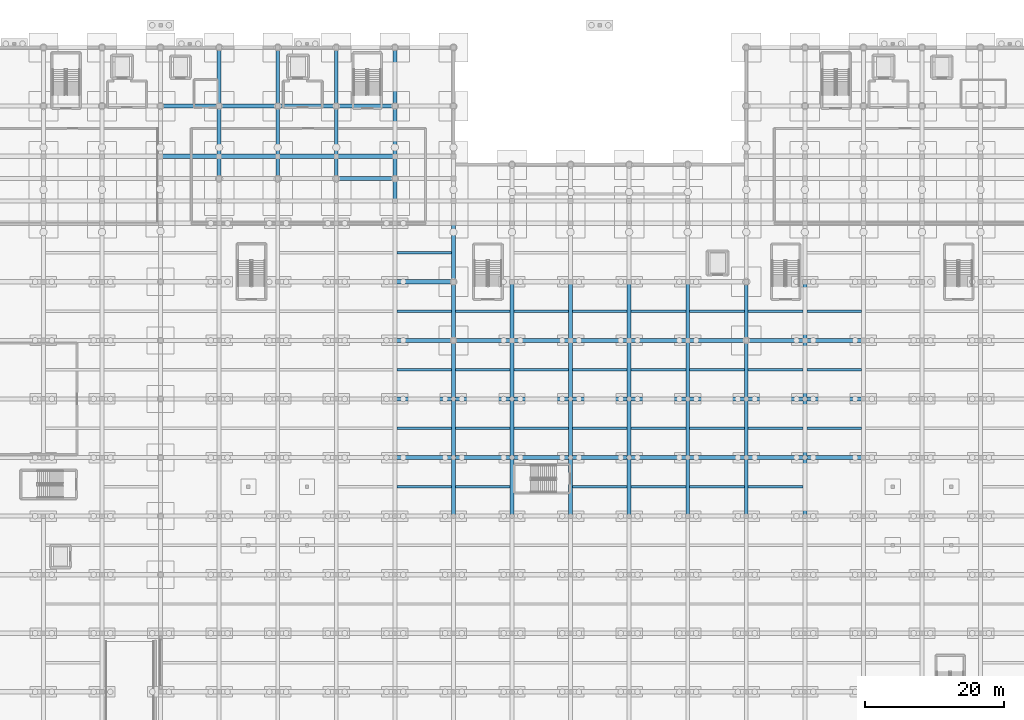
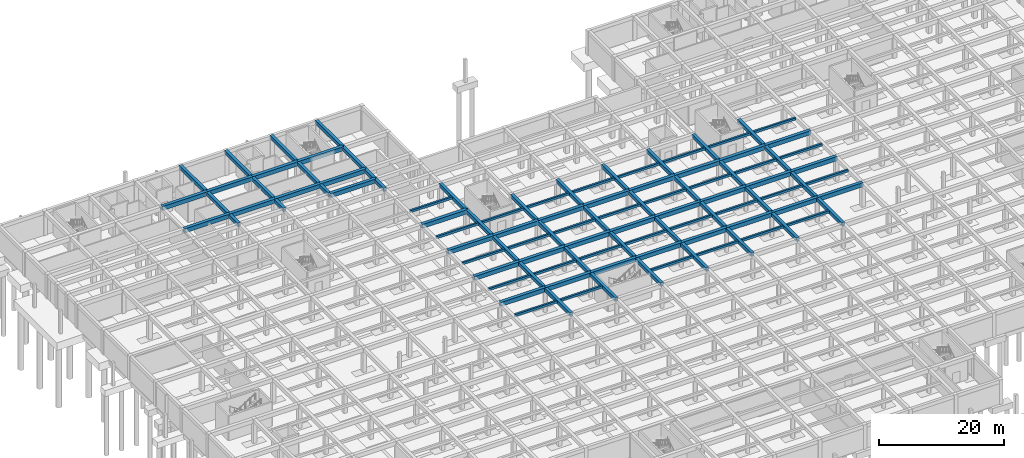
# One storey, part 19 of 51: 107 beams.
"""IFC4 building model written with IfcOpenShell, lengths in metres."""

from ifc_helpers import new_model, si_unit, direction, frame, origin, origin_2d, place, context, subcontext, project, spatial, rectangle, extrude, material, material_profile, profile_set, type_object, element, save


model = new_model("IFC4")

# Units and contexts
model_context = context("Model", 3, precision=1e-05, world=origin(), true_north=direction((0.0, 1.0)))
body_context = subcontext(model_context, "Body", "Model", "MODEL_VIEW")
ifc_project = project(units=[si_unit("LENGTHUNIT", "METRE"), si_unit("AREAUNIT", "SQUARE_METRE"), si_unit("VOLUMEUNIT", "CUBIC_METRE"), si_unit("PLANEANGLEUNIT", "RADIAN"), si_unit("MASSUNIT", "GRAM", prefix="KILO")], contexts=[model_context])

# Site, building, storey
site_placement = place(None, origin())
site = spatial("IfcSite", under=ifc_project, at=site_placement, CompositionType="ELEMENT")
building_placement = place(site_placement, origin())
building = spatial("IfcBuilding", under=site, at=building_placement, Name="Varncliffe General Hospital", CompositionType="ELEMENT")
storey_placement = place(building_placement, frame((0.0, 0.0, -4.800048828125)))
storey = spatial("IfcBuildingStorey", under=building, at=storey_placement, Name="B1", CompositionType="ELEMENT", Elevation=-4.800048828125)

# Beams
ifc_material = material(Name="Concrete C35/45 (CSA A23.1 35 MPa)", Category="concrete")
ifc_material_profile_1 = material_profile(ifc_material, rectangle(XDim=0.550048828125, YDim=0.699951171875, at=origin_2d()), Name="RC 550x700")
ifc_profile_set_1 = profile_set([ifc_material_profile_1], Name="Concrete C35/45 (CSA A23.1 35 MPa)")
beam_type_1 = type_object("IfcBeamType", Name="Beam B35 (Int RC 550x700)", PredefinedType="BEAM", material=ifc_profile_set_1)
beam_1_placement = place(storey_placement, frame((33.60009765625, 106.0, 4.449951171875), z_axis=(0.0, 1.0, 0.0), x_axis=(-1.0, 0.0, 0.0)))
element("IfcBeam", 1, at=beam_1_placement, inside=storey, type_object=beam_type_1, Name="B1 Primary Beam B35-399", PredefinedType="BEAM", context=body_context, shape_type="SweptSolid", body=[
    extrude(rectangle(XDim=0.550048828125, YDim=0.699951171875, at=origin_2d()), origin(), (0.0, 0.0, 1.0), 3.199951171875),
])
beam_2_placement = place(storey_placement, frame((33.60009765625, 109.199951171875, 4.449951171875), z_axis=(0.0, 1.0, 0.0), x_axis=(-1.0, 0.0, 0.0)))
element("IfcBeam", 2, at=beam_2_placement, inside=storey, type_object=beam_type_1, Name="B1 Primary Beam B35-400", PredefinedType="BEAM", context=body_context, shape_type="SweptSolid", body=[
    extrude(rectangle(XDim=0.550048828125, YDim=0.699951171875, at=origin_2d()), origin(), (0.0, 0.0, 1.0), 7.199951171875),
])
beam_3_placement = place(storey_placement, frame((33.60009765625, 116.39990234375, 4.449951171875), z_axis=(0.0, 1.0, 0.0), x_axis=(-1.0, 0.0, 0.0)))
element("IfcBeam", 3, at=beam_3_placement, inside=storey, type_object=beam_type_1, Name="B1 Primary Beam B35-401", PredefinedType="BEAM", context=body_context, shape_type="SweptSolid", body=[
    extrude(rectangle(XDim=0.550048828125, YDim=0.699951171875, at=origin_2d()), origin(), (0.0, 0.0, 1.0), 8.400146484375),
])
beam_4_placement = place(storey_placement, frame((42.0, 106.0, 4.449951171875), z_axis=(0.0, 1.0, 0.0), x_axis=(-1.0, 0.0, 0.0)))
element("IfcBeam", 4, at=beam_4_placement, inside=storey, type_object=beam_type_1, Name="B1 Primary Beam B35-413", PredefinedType="BEAM", context=body_context, shape_type="SweptSolid", body=[
    extrude(rectangle(XDim=0.550048828125, YDim=0.699951171875, at=origin_2d()), origin(), (0.0, 0.0, 1.0), 3.199951171875),
])
beam_5_placement = place(storey_placement, frame((42.0, 109.199951171875, 4.449951171875), z_axis=(0.0, 1.0, 0.0), x_axis=(-1.0, 0.0, 0.0)))
element("IfcBeam", 5, at=beam_5_placement, inside=storey, type_object=beam_type_1, Name="B1 Primary Beam B35-414", PredefinedType="BEAM", context=body_context, shape_type="SweptSolid", body=[
    extrude(rectangle(XDim=0.550048828125, YDim=0.699951171875, at=origin_2d()), origin(), (0.0, 0.0, 1.0), 7.199951171875),
])
beam_6_placement = place(storey_placement, frame((42.0, 116.39990234375, 4.449951171875), z_axis=(0.0, 1.0, 0.0), x_axis=(-1.0, 0.0, 0.0)))
element("IfcBeam", 6, at=beam_6_placement, inside=storey, type_object=beam_type_1, Name="B1 Primary Beam B35-415", PredefinedType="BEAM", context=body_context, shape_type="SweptSolid", body=[
    extrude(rectangle(XDim=0.550048828125, YDim=0.699951171875, at=origin_2d()), origin(), (0.0, 0.0, 1.0), 8.400146484375),
])
beam_7_placement = place(storey_placement, frame((50.39990234375, 106.0, 4.449951171875), z_axis=(0.0, 1.0, 0.0), x_axis=(-1.0, 0.0, 0.0)))
element("IfcBeam", 7, at=beam_7_placement, inside=storey, type_object=beam_type_1, Name="B1 Primary Beam B35-427", PredefinedType="BEAM", context=body_context, shape_type="SweptSolid", body=[
    extrude(rectangle(XDim=0.550048828125, YDim=0.699951171875, at=origin_2d()), origin(), (0.0, 0.0, 1.0), 3.199951171875),
])
beam_8_placement = place(storey_placement, frame((50.39990234375, 109.199951171875, 4.449951171875), z_axis=(0.0, 1.0, 0.0), x_axis=(-1.0, 0.0, 0.0)))
element("IfcBeam", 8, at=beam_8_placement, inside=storey, type_object=beam_type_1, Name="B1 Primary Beam B35-428", PredefinedType="BEAM", context=body_context, shape_type="SweptSolid", body=[
    extrude(rectangle(XDim=0.550048828125, YDim=0.699951171875, at=origin_2d()), origin(), (0.0, 0.0, 1.0), 7.199951171875),
])
beam_9_placement = place(storey_placement, frame((50.39990234375, 116.39990234375, 4.449951171875), z_axis=(0.0, 1.0, 0.0), x_axis=(-1.0, 0.0, 0.0)))
element("IfcBeam", 9, at=beam_9_placement, inside=storey, type_object=beam_type_1, Name="B1 Primary Beam B35-429", PredefinedType="BEAM", context=body_context, shape_type="SweptSolid", body=[
    extrude(rectangle(XDim=0.550048828125, YDim=0.699951171875, at=origin_2d()), origin(), (0.0, 0.0, 1.0), 8.400146484375),
])
for number, where, z_axis, x_axis, name in (
    (10, (58.800048828125, 102.800048828125, 4.449951171875), (0.0, 1.0, 0.0), (-1.0, 0.0, 0.0), "B1 Primary Beam B35-442"),
    (11, (58.800048828125, 106.0, 4.449951171875), (0.0, 1.0, 0.0), (-1.0, 0.0, 0.0), "B1 Primary Beam B35-443"),
):
    element("IfcBeam", number, at=place(storey_placement, frame(where, z_axis=z_axis, x_axis=x_axis)), inside=storey, type_object=beam_type_1, Name=name, PredefinedType="BEAM", context=body_context, shape_type="SweptSolid", body=[
        extrude(rectangle(XDim=0.550048828125, YDim=0.699951171875, at=origin_2d()), origin(), (0.0, 0.0, 1.0), 3.199951171875),
    ])
beam_10_placement = place(storey_placement, frame((58.800048828125, 109.199951171875, 4.449951171875), z_axis=(0.0, 1.0, 0.0), x_axis=(-1.0, 0.0, 0.0)))
element("IfcBeam", 12, at=beam_10_placement, inside=storey, type_object=beam_type_1, Name="B1 Primary Beam B35-444", PredefinedType="BEAM", context=body_context, shape_type="SweptSolid", body=[
    extrude(rectangle(XDim=0.550048828125, YDim=0.699951171875, at=origin_2d()), origin(), (0.0, 0.0, 1.0), 7.199951171875),
])
beam_11_placement = place(storey_placement, frame((58.800048828125, 116.39990234375, 4.449951171875), z_axis=(0.0, 1.0, 0.0), x_axis=(-1.0, 0.0, 0.0)))
element("IfcBeam", 13, at=beam_11_placement, inside=storey, type_object=beam_type_1, Name="B1 Primary Beam B35-445", PredefinedType="BEAM", context=body_context, shape_type="SweptSolid", body=[
    extrude(rectangle(XDim=0.550048828125, YDim=0.699951171875, at=origin_2d()), origin(), (0.0, 0.0, 1.0), 8.400146484375),
])
for number, where, z_axis, x_axis, name in (
    (14, (67.199951171875, 57.60009765625, 4.449951171875), (0.0, 1.0, 0.0), (-1.0, 0.0, 0.0), "B1 Primary Beam B35-452"),
    (15, (67.199951171875, 66.0, 4.449951171875), (0.0, 1.0, 0.0), (-1.0, 0.0, 0.0), "B1 Primary Beam B35-453"),
):
    element("IfcBeam", number, at=place(storey_placement, frame(where, z_axis=z_axis, x_axis=x_axis)), inside=storey, type_object=beam_type_1, Name=name, PredefinedType="BEAM", context=body_context, shape_type="SweptSolid", body=[
        extrude(rectangle(XDim=0.550048828125, YDim=0.699951171875, at=origin_2d()), origin(), (0.0, 0.0, 1.0), 8.39990234375),
    ])
beam_12_placement = place(storey_placement, frame((67.199951171875, 74.39990234375, 4.449951171875), z_axis=(0.0, 1.0, 0.0), x_axis=(-1.0, 0.0, 0.0)))
element("IfcBeam", 16, at=beam_12_placement, inside=storey, type_object=beam_type_1, Name="B1 Primary Beam B35-454", PredefinedType="BEAM", context=body_context, shape_type="SweptSolid", body=[
    extrude(rectangle(XDim=0.550048828125, YDim=0.699951171875, at=origin_2d()), origin(), (0.0, 0.0, 1.0), 8.400146484375),
])
beam_13_placement = place(storey_placement, frame((67.199951171875, 82.800048828125, 4.449951171875), z_axis=(0.0, 1.0, 0.0), x_axis=(-1.0, 0.0, 0.0)))
element("IfcBeam", 17, at=beam_13_placement, inside=storey, type_object=beam_type_1, Name="B1 Primary Beam B35-455", PredefinedType="BEAM", context=body_context, shape_type="SweptSolid", body=[
    extrude(rectangle(XDim=0.550048828125, YDim=0.699951171875, at=origin_2d()), origin(), (0.0, 0.0, 1.0), 8.39990234375),
])
beam_14_placement = place(storey_placement, frame((67.199951171875, 91.199951171875, 4.449951171875), z_axis=(0.0, 1.0, 0.0), x_axis=(-1.0, 0.0, 0.0)))
element("IfcBeam", 18, at=beam_14_placement, inside=storey, type_object=beam_type_1, Name="B1 Primary Beam B35-456", PredefinedType="BEAM", context=body_context, shape_type="SweptSolid", body=[
    extrude(rectangle(XDim=0.550048828125, YDim=0.699951171875, at=origin_2d()), origin(), (0.0, 0.0, 1.0), 8.400146484375),
])
for number, where, z_axis, x_axis, name in (
    (19, (75.60009765625, 57.60009765625, 4.449951171875), (0.0, 1.0, 0.0), (-1.0, 0.0, 0.0), "B1 Primary Beam B35-468"),
    (20, (75.60009765625, 66.0, 4.449951171875), (0.0, 1.0, 0.0), (-1.0, 0.0, 0.0), "B1 Primary Beam B35-469"),
):
    element("IfcBeam", number, at=place(storey_placement, frame(where, z_axis=z_axis, x_axis=x_axis)), inside=storey, type_object=beam_type_1, Name=name, PredefinedType="BEAM", context=body_context, shape_type="SweptSolid", body=[
        extrude(rectangle(XDim=0.550048828125, YDim=0.699951171875, at=origin_2d()), origin(), (0.0, 0.0, 1.0), 8.39990234375),
    ])
beam_15_placement = place(storey_placement, frame((75.60009765625, 74.39990234375, 4.449951171875), z_axis=(0.0, 1.0, 0.0), x_axis=(-1.0, 0.0, 0.0)))
element("IfcBeam", 21, at=beam_15_placement, inside=storey, type_object=beam_type_1, Name="B1 Primary Beam B35-470", PredefinedType="BEAM", context=body_context, shape_type="SweptSolid", body=[
    extrude(rectangle(XDim=0.550048828125, YDim=0.699951171875, at=origin_2d()), origin(), (0.0, 0.0, 1.0), 8.400146484375),
])
for number, where, z_axis, x_axis, name in (
    (22, (75.60009765625, 82.800048828125, 4.449951171875), (0.0, 1.0, 0.0), (-1.0, 0.0, 0.0), "B1 Primary Beam B35-471"),
    (23, (84.0, 57.60009765625, 4.449951171875), (0.0, 1.0, 0.0), (-1.0, 0.0, 0.0), "B1 Primary Beam B35-481"),
    (24, (84.0, 66.0, 4.449951171875), (0.0, 1.0, 0.0), (-1.0, 0.0, 0.0), "B1 Primary Beam B35-482"),
):
    element("IfcBeam", number, at=place(storey_placement, frame(where, z_axis=z_axis, x_axis=x_axis)), inside=storey, type_object=beam_type_1, Name=name, PredefinedType="BEAM", context=body_context, shape_type="SweptSolid", body=[
        extrude(rectangle(XDim=0.550048828125, YDim=0.699951171875, at=origin_2d()), origin(), (0.0, 0.0, 1.0), 8.39990234375),
    ])
beam_16_placement = place(storey_placement, frame((84.0, 74.39990234375, 4.449951171875), z_axis=(0.0, 1.0, 0.0), x_axis=(-1.0, 0.0, 0.0)))
element("IfcBeam", 25, at=beam_16_placement, inside=storey, type_object=beam_type_1, Name="B1 Primary Beam B35-483", PredefinedType="BEAM", context=body_context, shape_type="SweptSolid", body=[
    extrude(rectangle(XDim=0.550048828125, YDim=0.699951171875, at=origin_2d()), origin(), (0.0, 0.0, 1.0), 8.400146484375),
])
for number, where, z_axis, x_axis, name in (
    (26, (84.0, 82.800048828125, 4.449951171875), (0.0, 1.0, 0.0), (-1.0, 0.0, 0.0), "B1 Primary Beam B35-484"),
    (27, (92.39990234375, 57.60009765625, 4.449951171875), (0.0, 1.0, 0.0), (-1.0, 0.0, 0.0), "B1 Primary Beam B35-494"),
    (28, (92.39990234375, 66.0, 4.449951171875), (0.0, 1.0, 0.0), (-1.0, 0.0, 0.0), "B1 Primary Beam B35-495"),
):
    element("IfcBeam", number, at=place(storey_placement, frame(where, z_axis=z_axis, x_axis=x_axis)), inside=storey, type_object=beam_type_1, Name=name, PredefinedType="BEAM", context=body_context, shape_type="SweptSolid", body=[
        extrude(rectangle(XDim=0.550048828125, YDim=0.699951171875, at=origin_2d()), origin(), (0.0, 0.0, 1.0), 8.39990234375),
    ])
beam_17_placement = place(storey_placement, frame((92.39990234375, 74.39990234375, 4.449951171875), z_axis=(0.0, 1.0, 0.0), x_axis=(-1.0, 0.0, 0.0)))
element("IfcBeam", 29, at=beam_17_placement, inside=storey, type_object=beam_type_1, Name="B1 Primary Beam B35-496", PredefinedType="BEAM", context=body_context, shape_type="SweptSolid", body=[
    extrude(rectangle(XDim=0.550048828125, YDim=0.699951171875, at=origin_2d()), origin(), (0.0, 0.0, 1.0), 8.400146484375),
])
for number, where, z_axis, x_axis, name in (
    (30, (92.39990234375, 82.800048828125, 4.449951171875), (0.0, 1.0, 0.0), (-1.0, 0.0, 0.0), "B1 Primary Beam B35-497"),
    (31, (100.800048828125, 57.60009765625, 4.449951171875), (0.0, 1.0, 0.0), (-1.0, 0.0, 0.0), "B1 Primary Beam B35-507"),
    (32, (100.800048828125, 66.0, 4.449951171875), (0.0, 1.0, 0.0), (-1.0, 0.0, 0.0), "B1 Primary Beam B35-508"),
):
    element("IfcBeam", number, at=place(storey_placement, frame(where, z_axis=z_axis, x_axis=x_axis)), inside=storey, type_object=beam_type_1, Name=name, PredefinedType="BEAM", context=body_context, shape_type="SweptSolid", body=[
        extrude(rectangle(XDim=0.550048828125, YDim=0.699951171875, at=origin_2d()), origin(), (0.0, 0.0, 1.0), 8.39990234375),
    ])
beam_18_placement = place(storey_placement, frame((100.800048828125, 74.39990234375, 4.449951171875), z_axis=(0.0, 1.0, 0.0), x_axis=(-1.0, 0.0, 0.0)))
element("IfcBeam", 33, at=beam_18_placement, inside=storey, type_object=beam_type_1, Name="B1 Primary Beam B35-509", PredefinedType="BEAM", context=body_context, shape_type="SweptSolid", body=[
    extrude(rectangle(XDim=0.550048828125, YDim=0.699951171875, at=origin_2d()), origin(), (0.0, 0.0, 1.0), 8.400146484375),
])
for number, where, z_axis, x_axis, name in (
    (34, (100.800048828125, 82.800048828125, 4.449951171875), (0.0, 1.0, 0.0), (-1.0, 0.0, 0.0), "B1 Primary Beam B35-510"),
    (35, (109.199951171875, 57.60009765625, 4.449951171875), (0.0, 1.0, 0.0), (-1.0, 0.0, 0.0), "B1 Primary Beam B35-520"),
    (36, (109.199951171875, 66.0, 4.449951171875), (0.0, 1.0, 0.0), (-1.0, 0.0, 0.0), "B1 Primary Beam B35-521"),
):
    element("IfcBeam", number, at=place(storey_placement, frame(where, z_axis=z_axis, x_axis=x_axis)), inside=storey, type_object=beam_type_1, Name=name, PredefinedType="BEAM", context=body_context, shape_type="SweptSolid", body=[
        extrude(rectangle(XDim=0.550048828125, YDim=0.699951171875, at=origin_2d()), origin(), (0.0, 0.0, 1.0), 8.39990234375),
    ])
beam_19_placement = place(storey_placement, frame((109.199951171875, 74.39990234375, 4.449951171875), z_axis=(0.0, 1.0, 0.0), x_axis=(-1.0, 0.0, 0.0)))
element("IfcBeam", 37, at=beam_19_placement, inside=storey, type_object=beam_type_1, Name="B1 Primary Beam B35-522", PredefinedType="BEAM", context=body_context, shape_type="SweptSolid", body=[
    extrude(rectangle(XDim=0.550048828125, YDim=0.699951171875, at=origin_2d()), origin(), (0.0, 0.0, 1.0), 8.400146484375),
])
for number, where, z_axis, x_axis, name in (
    (38, (109.199951171875, 82.800048828125, 4.449951171875), (0.0, 1.0, 0.0), (-1.0, 0.0, 0.0), "B1 Primary Beam B35-523"),
    (39, (117.60009765625, 57.60009765625, 4.449951171875), (0.0, 1.0, 0.0), (-1.0, 0.0, 0.0), "B1 Primary Beam B35-536"),
    (40, (117.60009765625, 66.0, 4.449951171875), (0.0, 1.0, 0.0), (-1.0, 0.0, 0.0), "B1 Primary Beam B35-537"),
):
    element("IfcBeam", number, at=place(storey_placement, frame(where, z_axis=z_axis, x_axis=x_axis)), inside=storey, type_object=beam_type_1, Name=name, PredefinedType="BEAM", context=body_context, shape_type="SweptSolid", body=[
        extrude(rectangle(XDim=0.550048828125, YDim=0.699951171875, at=origin_2d()), origin(), (0.0, 0.0, 1.0), 8.39990234375),
    ])
beam_20_placement = place(storey_placement, frame((117.60009765625, 74.39990234375, 4.449951171875), z_axis=(0.0, 1.0, 0.0), x_axis=(-1.0, 0.0, 0.0)))
element("IfcBeam", 41, at=beam_20_placement, inside=storey, type_object=beam_type_1, Name="B1 Primary Beam B35-538", PredefinedType="BEAM", context=body_context, shape_type="SweptSolid", body=[
    extrude(rectangle(XDim=0.550048828125, YDim=0.699951171875, at=origin_2d()), origin(), (0.0, 0.0, 1.0), 8.400146484375),
])
beam_21_placement = place(storey_placement, frame((117.60009765625, 82.800048828125, 4.449951171875), z_axis=(0.0, 1.0, 0.0), x_axis=(-1.0, 0.0, 0.0)))
element("IfcBeam", 42, at=beam_21_placement, inside=storey, type_object=beam_type_1, Name="B1 Primary Beam B35-539", PredefinedType="BEAM", context=body_context, shape_type="SweptSolid", body=[
    extrude(rectangle(XDim=0.550048828125, YDim=0.699951171875, at=origin_2d()), origin(), (0.0, 0.0, 1.0), 8.39990234375),
])
ifc_material_profile_2 = material_profile(ifc_material, rectangle(XDim=0.60009765625, YDim=0.800048828125, at=origin_2d()), Name="RC 600x800")
ifc_profile_set_2 = profile_set([ifc_material_profile_2], Name="Concrete C35/45 (CSA A23.1 35 MPa)")
beam_type_2 = type_object("IfcBeamType", Name="Beam B40 (Int RC 600x800)", PredefinedType="BEAM", material=ifc_profile_set_2)
beam_22_placement = place(storey_placement, frame((58.800048828125, 66.0, 4.400146484375), z_axis=(1.0, 0.0, 0.0), x_axis=(0.0, 1.0, 0.0)))
element("IfcBeam", 43, at=beam_22_placement, inside=storey, type_object=beam_type_2, Name="B1 Primary Beam B40-140", PredefinedType="BEAM", context=body_context, shape_type="SweptSolid", body=[
    extrude(rectangle(XDim=0.60009765625, YDim=0.800048828125, at=origin_2d()), origin(), (0.0, 0.0, 1.0), 8.39990234375),
])
beam_23_placement = place(storey_placement, frame((67.199951171875, 66.0, 4.400146484375), z_axis=(1.0, 0.0, 0.0), x_axis=(0.0, 1.0, 0.0)))
element("IfcBeam", 44, at=beam_23_placement, inside=storey, type_object=beam_type_2, Name="B1 Primary Beam B40-141", PredefinedType="BEAM", context=body_context, shape_type="SweptSolid", body=[
    extrude(rectangle(XDim=0.60009765625, YDim=0.800048828125, at=origin_2d()), origin(), (0.0, 0.0, 1.0), 8.400146484375),
])
for number, where, z_axis, x_axis, name in (
    (45, (75.60009765625, 66.0, 4.400146484375), (1.0, 0.0, 0.0), (0.0, 1.0, 0.0), "B1 Primary Beam B40-142"),
    (46, (84.0, 66.0, 4.400146484375), (1.0, 0.0, 0.0), (0.0, 1.0, 0.0), "B1 Primary Beam B40-143"),
):
    element("IfcBeam", number, at=place(storey_placement, frame(where, z_axis=z_axis, x_axis=x_axis)), inside=storey, type_object=beam_type_2, Name=name, PredefinedType="BEAM", context=body_context, shape_type="SweptSolid", body=[
        extrude(rectangle(XDim=0.60009765625, YDim=0.800048828125, at=origin_2d()), origin(), (0.0, 0.0, 1.0), 8.39990234375),
    ])
beam_24_placement = place(storey_placement, frame((92.39990234375, 66.0, 4.400146484375), z_axis=(1.0, 0.0, 0.0), x_axis=(0.0, 1.0, 0.0)))
element("IfcBeam", 47, at=beam_24_placement, inside=storey, type_object=beam_type_2, Name="B1 Primary Beam B40-144", PredefinedType="BEAM", context=body_context, shape_type="SweptSolid", body=[
    extrude(rectangle(XDim=0.60009765625, YDim=0.800048828125, at=origin_2d()), origin(), (0.0, 0.0, 1.0), 8.400146484375),
])
beam_25_placement = place(storey_placement, frame((100.800048828125, 66.0, 4.400146484375), z_axis=(1.0, 0.0, 0.0), x_axis=(0.0, 1.0, 0.0)))
element("IfcBeam", 48, at=beam_25_placement, inside=storey, type_object=beam_type_2, Name="B1 Primary Beam B40-145", PredefinedType="BEAM", context=body_context, shape_type="SweptSolid", body=[
    extrude(rectangle(XDim=0.60009765625, YDim=0.800048828125, at=origin_2d()), origin(), (0.0, 0.0, 1.0), 8.39990234375),
])
beam_26_placement = place(storey_placement, frame((109.199951171875, 66.0, 4.400146484375), z_axis=(1.0, 0.0, 0.0), x_axis=(0.0, 1.0, 0.0)))
element("IfcBeam", 49, at=beam_26_placement, inside=storey, type_object=beam_type_2, Name="B1 Primary Beam B40-146", PredefinedType="BEAM", context=body_context, shape_type="SweptSolid", body=[
    extrude(rectangle(XDim=0.60009765625, YDim=0.800048828125, at=origin_2d()), origin(), (0.0, 0.0, 1.0), 8.400146484375),
])
for number, where, z_axis, x_axis, name in (
    (50, (117.60009765625, 66.0, 4.400146484375), (1.0, 0.0, 0.0), (0.0, 1.0, 0.0), "B1 Primary Beam B40-147"),
    (51, (58.800048828125, 74.39990234375, 4.400146484375), (1.0, 0.0, 0.0), (0.0, 1.0, 0.0), "B1 Primary Beam B40-161"),
):
    element("IfcBeam", number, at=place(storey_placement, frame(where, z_axis=z_axis, x_axis=x_axis)), inside=storey, type_object=beam_type_2, Name=name, PredefinedType="BEAM", context=body_context, shape_type="SweptSolid", body=[
        extrude(rectangle(XDim=0.60009765625, YDim=0.800048828125, at=origin_2d()), origin(), (0.0, 0.0, 1.0), 8.39990234375),
    ])
beam_27_placement = place(storey_placement, frame((67.199951171875, 74.39990234375, 4.400146484375), z_axis=(1.0, 0.0, 0.0), x_axis=(0.0, 1.0, 0.0)))
element("IfcBeam", 52, at=beam_27_placement, inside=storey, type_object=beam_type_2, Name="B1 Primary Beam B40-162", PredefinedType="BEAM", context=body_context, shape_type="SweptSolid", body=[
    extrude(rectangle(XDim=0.60009765625, YDim=0.800048828125, at=origin_2d()), origin(), (0.0, 0.0, 1.0), 8.400146484375),
])
for number, where, z_axis, x_axis, name in (
    (53, (75.60009765625, 74.39990234375, 4.400146484375), (1.0, 0.0, 0.0), (0.0, 1.0, 0.0), "B1 Primary Beam B40-163"),
    (54, (84.0, 74.39990234375, 4.400146484375), (1.0, 0.0, 0.0), (0.0, 1.0, 0.0), "B1 Primary Beam B40-164"),
):
    element("IfcBeam", number, at=place(storey_placement, frame(where, z_axis=z_axis, x_axis=x_axis)), inside=storey, type_object=beam_type_2, Name=name, PredefinedType="BEAM", context=body_context, shape_type="SweptSolid", body=[
        extrude(rectangle(XDim=0.60009765625, YDim=0.800048828125, at=origin_2d()), origin(), (0.0, 0.0, 1.0), 8.39990234375),
    ])
beam_28_placement = place(storey_placement, frame((92.39990234375, 74.39990234375, 4.400146484375), z_axis=(1.0, 0.0, 0.0), x_axis=(0.0, 1.0, 0.0)))
element("IfcBeam", 55, at=beam_28_placement, inside=storey, type_object=beam_type_2, Name="B1 Primary Beam B40-165", PredefinedType="BEAM", context=body_context, shape_type="SweptSolid", body=[
    extrude(rectangle(XDim=0.60009765625, YDim=0.800048828125, at=origin_2d()), origin(), (0.0, 0.0, 1.0), 8.400146484375),
])
beam_29_placement = place(storey_placement, frame((100.800048828125, 74.39990234375, 4.400146484375), z_axis=(1.0, 0.0, 0.0), x_axis=(0.0, 1.0, 0.0)))
element("IfcBeam", 56, at=beam_29_placement, inside=storey, type_object=beam_type_2, Name="B1 Primary Beam B40-166", PredefinedType="BEAM", context=body_context, shape_type="SweptSolid", body=[
    extrude(rectangle(XDim=0.60009765625, YDim=0.800048828125, at=origin_2d()), origin(), (0.0, 0.0, 1.0), 8.39990234375),
])
beam_30_placement = place(storey_placement, frame((109.199951171875, 74.39990234375, 4.400146484375), z_axis=(1.0, 0.0, 0.0), x_axis=(0.0, 1.0, 0.0)))
element("IfcBeam", 57, at=beam_30_placement, inside=storey, type_object=beam_type_2, Name="B1 Primary Beam B40-167", PredefinedType="BEAM", context=body_context, shape_type="SweptSolid", body=[
    extrude(rectangle(XDim=0.60009765625, YDim=0.800048828125, at=origin_2d()), origin(), (0.0, 0.0, 1.0), 8.400146484375),
])
for number, where, z_axis, x_axis, name in (
    (58, (117.60009765625, 74.39990234375, 4.400146484375), (1.0, 0.0, 0.0), (0.0, 1.0, 0.0), "B1 Primary Beam B40-168"),
    (59, (58.800048828125, 82.800048828125, 4.400146484375), (1.0, 0.0, 0.0), (0.0, 1.0, 0.0), "B1 Primary Beam B40-182"),
):
    element("IfcBeam", number, at=place(storey_placement, frame(where, z_axis=z_axis, x_axis=x_axis)), inside=storey, type_object=beam_type_2, Name=name, PredefinedType="BEAM", context=body_context, shape_type="SweptSolid", body=[
        extrude(rectangle(XDim=0.60009765625, YDim=0.800048828125, at=origin_2d()), origin(), (0.0, 0.0, 1.0), 8.39990234375),
    ])
beam_31_placement = place(storey_placement, frame((67.199951171875, 82.800048828125, 4.400146484375), z_axis=(1.0, 0.0, 0.0), x_axis=(0.0, 1.0, 0.0)))
element("IfcBeam", 60, at=beam_31_placement, inside=storey, type_object=beam_type_2, Name="B1 Primary Beam B40-183", PredefinedType="BEAM", context=body_context, shape_type="SweptSolid", body=[
    extrude(rectangle(XDim=0.60009765625, YDim=0.800048828125, at=origin_2d()), origin(), (0.0, 0.0, 1.0), 8.400146484375),
])
for number, where, z_axis, x_axis, name in (
    (61, (75.60009765625, 82.800048828125, 4.400146484375), (1.0, 0.0, 0.0), (0.0, 1.0, 0.0), "B1 Primary Beam B40-184"),
    (62, (84.0, 82.800048828125, 4.400146484375), (1.0, 0.0, 0.0), (0.0, 1.0, 0.0), "B1 Primary Beam B40-185"),
):
    element("IfcBeam", number, at=place(storey_placement, frame(where, z_axis=z_axis, x_axis=x_axis)), inside=storey, type_object=beam_type_2, Name=name, PredefinedType="BEAM", context=body_context, shape_type="SweptSolid", body=[
        extrude(rectangle(XDim=0.60009765625, YDim=0.800048828125, at=origin_2d()), origin(), (0.0, 0.0, 1.0), 8.39990234375),
    ])
beam_32_placement = place(storey_placement, frame((92.39990234375, 82.800048828125, 4.400146484375), z_axis=(1.0, 0.0, 0.0), x_axis=(0.0, 1.0, 0.0)))
element("IfcBeam", 63, at=beam_32_placement, inside=storey, type_object=beam_type_2, Name="B1 Primary Beam B40-186", PredefinedType="BEAM", context=body_context, shape_type="SweptSolid", body=[
    extrude(rectangle(XDim=0.60009765625, YDim=0.800048828125, at=origin_2d()), origin(), (0.0, 0.0, 1.0), 8.400146484375),
])
beam_33_placement = place(storey_placement, frame((100.800048828125, 82.800048828125, 4.400146484375), z_axis=(1.0, 0.0, 0.0), x_axis=(0.0, 1.0, 0.0)))
element("IfcBeam", 64, at=beam_33_placement, inside=storey, type_object=beam_type_2, Name="B1 Primary Beam B40-187", PredefinedType="BEAM", context=body_context, shape_type="SweptSolid", body=[
    extrude(rectangle(XDim=0.60009765625, YDim=0.800048828125, at=origin_2d()), origin(), (0.0, 0.0, 1.0), 8.39990234375),
])
beam_34_placement = place(storey_placement, frame((109.199951171875, 82.800048828125, 4.400146484375), z_axis=(1.0, 0.0, 0.0), x_axis=(0.0, 1.0, 0.0)))
element("IfcBeam", 65, at=beam_34_placement, inside=storey, type_object=beam_type_2, Name="B1 Primary Beam B40-188", PredefinedType="BEAM", context=body_context, shape_type="SweptSolid", body=[
    extrude(rectangle(XDim=0.60009765625, YDim=0.800048828125, at=origin_2d()), origin(), (0.0, 0.0, 1.0), 8.400146484375),
])
for number, where, z_axis, x_axis, name in (
    (66, (117.60009765625, 82.800048828125, 4.400146484375), (1.0, 0.0, 0.0), (0.0, 1.0, 0.0), "B1 Primary Beam B40-189"),
    (67, (58.800048828125, 91.199951171875, 4.400146484375), (1.0, 0.0, 0.0), (0.0, 1.0, 0.0), "B1 Primary Beam B40-202"),
):
    element("IfcBeam", number, at=place(storey_placement, frame(where, z_axis=z_axis, x_axis=x_axis)), inside=storey, type_object=beam_type_2, Name=name, PredefinedType="BEAM", context=body_context, shape_type="SweptSolid", body=[
        extrude(rectangle(XDim=0.60009765625, YDim=0.800048828125, at=origin_2d()), origin(), (0.0, 0.0, 1.0), 8.39990234375),
    ])
for number, where, z_axis, x_axis, name in (
    (68, (50.39990234375, 106.0, 4.400146484375), (1.0, 0.0, 0.0), (0.0, 1.0, 0.0), "B1 Primary Beam B40-261"),
    (69, (25.199951171875, 109.199951171875, 4.400146484375), (1.0, 0.0, 0.0), (0.0, 1.0, 0.0), "B1 Primary Beam B40-277"),
):
    element("IfcBeam", number, at=place(storey_placement, frame(where, z_axis=z_axis, x_axis=x_axis)), inside=storey, type_object=beam_type_2, Name=name, PredefinedType="BEAM", context=body_context, shape_type="SweptSolid", body=[
        extrude(rectangle(XDim=0.60009765625, YDim=0.800048828125, at=origin_2d()), origin(), (0.0, 0.0, 1.0), 8.400146484375),
    ])
for number, where, z_axis, x_axis, name in (
    (70, (33.60009765625, 109.199951171875, 4.400146484375), (1.0, 0.0, 0.0), (0.0, 1.0, 0.0), "B1 Primary Beam B40-278"),
    (71, (42.0, 109.199951171875, 4.400146484375), (1.0, 0.0, 0.0), (0.0, 1.0, 0.0), "B1 Primary Beam B40-279"),
):
    element("IfcBeam", number, at=place(storey_placement, frame(where, z_axis=z_axis, x_axis=x_axis)), inside=storey, type_object=beam_type_2, Name=name, PredefinedType="BEAM", context=body_context, shape_type="SweptSolid", body=[
        extrude(rectangle(XDim=0.60009765625, YDim=0.800048828125, at=origin_2d()), origin(), (0.0, 0.0, 1.0), 8.39990234375),
    ])
for number, where, z_axis, x_axis, name in (
    (72, (50.39990234375, 109.199951171875, 4.400146484375), (1.0, 0.0, 0.0), (0.0, 1.0, 0.0), "B1 Primary Beam B40-280"),
    (73, (25.199951171875, 116.39990234375, 4.400146484375), (1.0, 0.0, 0.0), (0.0, 1.0, 0.0), "B1 Primary Beam B40-293"),
):
    element("IfcBeam", number, at=place(storey_placement, frame(where, z_axis=z_axis, x_axis=x_axis)), inside=storey, type_object=beam_type_2, Name=name, PredefinedType="BEAM", context=body_context, shape_type="SweptSolid", body=[
        extrude(rectangle(XDim=0.60009765625, YDim=0.800048828125, at=origin_2d()), origin(), (0.0, 0.0, 1.0), 8.400146484375),
    ])
for number, where, z_axis, x_axis, name in (
    (74, (33.60009765625, 116.39990234375, 4.400146484375), (1.0, 0.0, 0.0), (0.0, 1.0, 0.0), "B1 Primary Beam B40-294"),
    (75, (42.0, 116.39990234375, 4.400146484375), (1.0, 0.0, 0.0), (0.0, 1.0, 0.0), "B1 Primary Beam B40-295"),
):
    element("IfcBeam", number, at=place(storey_placement, frame(where, z_axis=z_axis, x_axis=x_axis)), inside=storey, type_object=beam_type_2, Name=name, PredefinedType="BEAM", context=body_context, shape_type="SweptSolid", body=[
        extrude(rectangle(XDim=0.60009765625, YDim=0.800048828125, at=origin_2d()), origin(), (0.0, 0.0, 1.0), 8.39990234375),
    ])
beam_35_placement = place(storey_placement, frame((50.39990234375, 116.39990234375, 4.400146484375), z_axis=(1.0, 0.0, 0.0), x_axis=(0.0, 1.0, 0.0)))
element("IfcBeam", 76, at=beam_35_placement, inside=storey, type_object=beam_type_2, Name="B1 Primary Beam B40-296", PredefinedType="BEAM", context=body_context, shape_type="SweptSolid", body=[
    extrude(rectangle(XDim=0.60009765625, YDim=0.800048828125, at=origin_2d()), origin(), (0.0, 0.0, 1.0), 8.400146484375),
])
ifc_material_profile_3 = material_profile(ifc_material, rectangle(XDim=0.35009765625, YDim=0.449951171875, at=origin_2d()), Name="RC 350x450")
ifc_profile_set_3 = profile_set([ifc_material_profile_3], Name="Concrete C35/45 (CSA A23.1 35 MPa)")
beam_type_3 = type_object("IfcBeamType", Name="Joist J55 (Int RC 350x450)", PredefinedType="JOIST", material=ifc_profile_set_3)
for number, where, z_axis, x_axis, name in (
    (77, (59.072998046875, 61.800048828125, 4.574951171875), (1.0, 0.0, 0.0), (0.0, 1.0, 0.0), "B1 Secondary Floor Rib J55-53"),
    (78, (59.072998046875, 70.199951171875, 4.574951171875), (1.0, 0.0, 0.0), (0.0, 1.0, 0.0), "B1 Secondary Floor Rib J55-54"),
    (79, (59.072998046875, 78.60009765625, 4.574951171875), (1.0, 0.0, 0.0), (0.0, 1.0, 0.0), "B1 Secondary Floor Rib J55-55"),
    (80, (59.072998046875, 87.0, 4.574951171875), (1.0, 0.0, 0.0), (0.0, 1.0, 0.0), "B1 Secondary Floor Rib J55-56"),
    (81, (59.072998046875, 95.39990234375, 4.574951171875), (1.0, 0.0, 0.0), (0.0, 1.0, 0.0), "B1 Secondary Floor Rib J55-57"),
    (82, (67.472900390625, 61.800048828125, 4.574951171875), (1.0, 0.0, 0.0), (0.0, 1.0, 0.0), "B1 Secondary Floor Rib J55-64"),
    (83, (67.472900390625, 70.199951171875, 4.574951171875), (1.0, 0.0, 0.0), (0.0, 1.0, 0.0), "B1 Secondary Floor Rib J55-65"),
    (84, (67.472900390625, 78.60009765625, 4.574951171875), (1.0, 0.0, 0.0), (0.0, 1.0, 0.0), "B1 Secondary Floor Rib J55-66"),
    (85, (67.472900390625, 87.0, 4.574951171875), (1.0, 0.0, 0.0), (0.0, 1.0, 0.0), "B1 Secondary Floor Rib J55-67"),
    (86, (75.873046875, 70.199951171875, 4.574951171875), (1.0, 0.0, 0.0), (0.0, 1.0, 0.0), "B1 Secondary Floor Rib J55-74"),
    (87, (75.873046875, 78.60009765625, 4.574951171875), (1.0, 0.0, 0.0), (0.0, 1.0, 0.0), "B1 Secondary Floor Rib J55-75"),
    (88, (75.873046875, 87.0, 4.574951171875), (1.0, 0.0, 0.0), (0.0, 1.0, 0.0), "B1 Secondary Floor Rib J55-76"),
    (89, (84.27294921875, 61.800048828125, 4.574951171875), (1.0, 0.0, 0.0), (0.0, 1.0, 0.0), "B1 Secondary Floor Rib J55-85"),
    (90, (84.27294921875, 70.199951171875, 4.574951171875), (1.0, 0.0, 0.0), (0.0, 1.0, 0.0), "B1 Secondary Floor Rib J55-86"),
    (91, (84.27294921875, 78.60009765625, 4.574951171875), (1.0, 0.0, 0.0), (0.0, 1.0, 0.0), "B1 Secondary Floor Rib J55-87"),
    (92, (84.27294921875, 87.0, 4.574951171875), (1.0, 0.0, 0.0), (0.0, 1.0, 0.0), "B1 Secondary Floor Rib J55-88"),
    (93, (92.673095703125, 61.800048828125, 4.574951171875), (1.0, 0.0, 0.0), (0.0, 1.0, 0.0), "B1 Secondary Floor Rib J55-97"),
    (94, (92.673095703125, 70.199951171875, 4.574951171875), (1.0, 0.0, 0.0), (0.0, 1.0, 0.0), "B1 Secondary Floor Rib J55-98"),
    (95, (92.673095703125, 78.60009765625, 4.574951171875), (1.0, 0.0, 0.0), (0.0, 1.0, 0.0), "B1 Secondary Floor Rib J55-99"),
    (96, (92.673095703125, 87.0, 4.574951171875), (1.0, 0.0, 0.0), (0.0, 1.0, 0.0), "B1 Secondary Floor Rib J55-100"),
    (97, (101.072998046875, 61.800048828125, 4.574951171875), (1.0, 0.0, 0.0), (0.0, 1.0, 0.0), "B1 Secondary Floor Rib J55-109"),
    (98, (101.072998046875, 70.199951171875, 4.574951171875), (1.0, 0.0, 0.0), (0.0, 1.0, 0.0), "B1 Secondary Floor Rib J55-110"),
    (99, (101.072998046875, 78.60009765625, 4.574951171875), (1.0, 0.0, 0.0), (0.0, 1.0, 0.0), "B1 Secondary Floor Rib J55-111"),
    (100, (101.072998046875, 87.0, 4.574951171875), (1.0, 0.0, 0.0), (0.0, 1.0, 0.0), "B1 Secondary Floor Rib J55-112"),
    (101, (109.472900390625, 61.800048828125, 4.574951171875), (1.0, 0.0, 0.0), (0.0, 1.0, 0.0), "B1 Secondary Floor Rib J55-117"),
    (102, (109.472900390625, 70.199951171875, 4.574951171875), (1.0, 0.0, 0.0), (0.0, 1.0, 0.0), "B1 Secondary Floor Rib J55-118"),
    (103, (109.472900390625, 78.60009765625, 4.574951171875), (1.0, 0.0, 0.0), (0.0, 1.0, 0.0), "B1 Secondary Floor Rib J55-119"),
    (104, (109.472900390625, 87.0, 4.574951171875), (1.0, 0.0, 0.0), (0.0, 1.0, 0.0), "B1 Secondary Floor Rib J55-120"),
    (105, (117.873046875, 70.199951171875, 4.574951171875), (1.0, 0.0, 0.0), (0.0, 1.0, 0.0), "B1 Secondary Floor Rib J55-125"),
    (106, (117.873046875, 78.60009765625, 4.574951171875), (1.0, 0.0, 0.0), (0.0, 1.0, 0.0), "B1 Secondary Floor Rib J55-126"),
    (107, (117.873046875, 87.0, 4.574951171875), (1.0, 0.0, 0.0), (0.0, 1.0, 0.0), "B1 Secondary Floor Rib J55-127"),
):
    element("IfcBeam", number, at=place(storey_placement, frame(where, z_axis=z_axis, x_axis=x_axis)), inside=storey, type_object=beam_type_3, Name=name, PredefinedType="JOIST", context=body_context, shape_type="SweptSolid", body=[
        extrude(rectangle(XDim=0.35009765625, YDim=0.449951171875, at=origin_2d()), origin(), (0.0, 0.0, 1.0), 7.85400390625),
    ])

save(model, "model.ifc")
